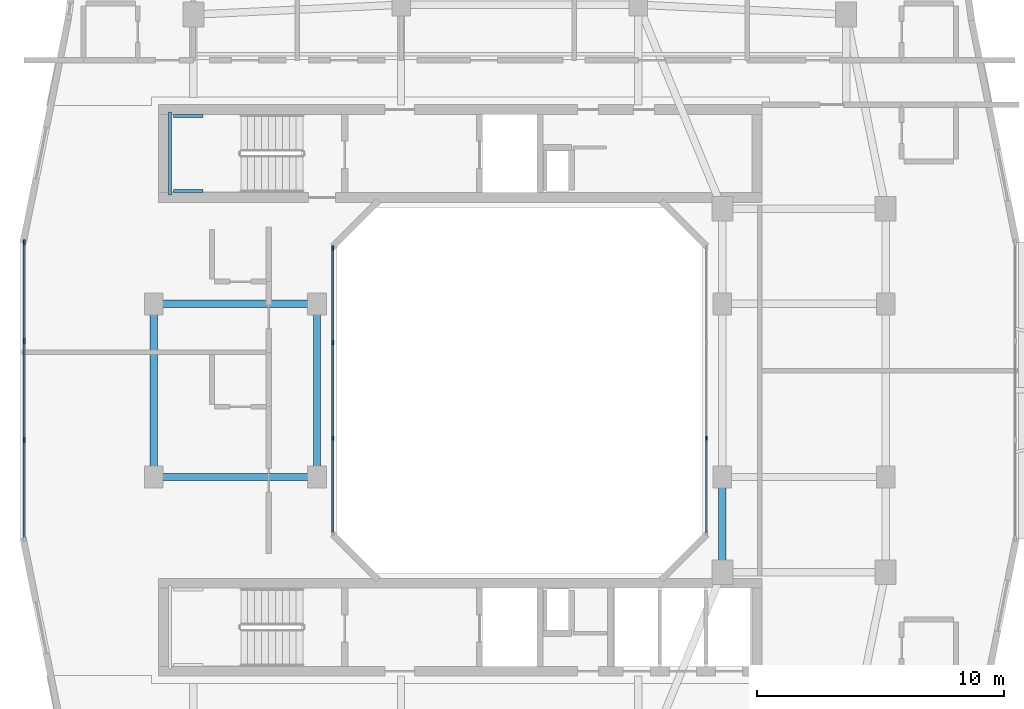
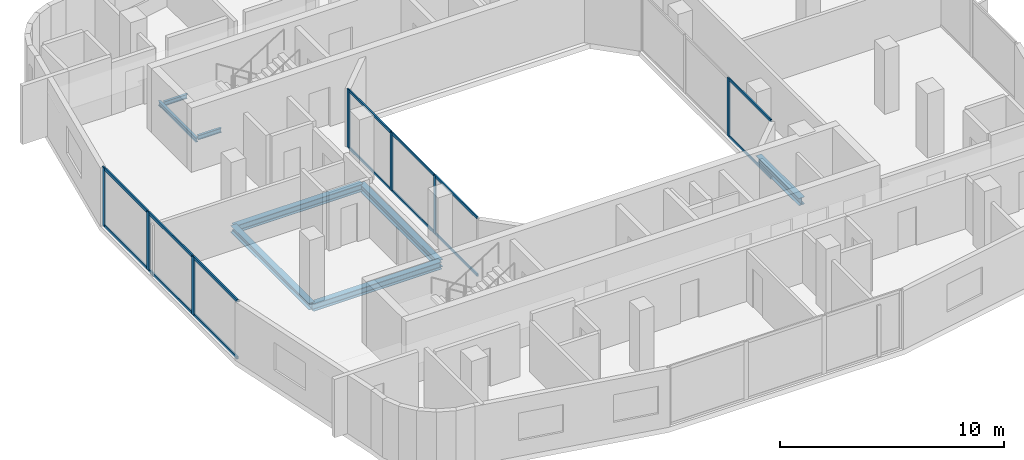
# One storey, part 3 of 14: 21 members, 8 beams, 3 elements without a shape of their own.
"""IFC4 building model written with IfcOpenShell, lengths in metres."""

from ifc_helpers import new_model, si_unit, derived_unit, direction, frame, origin, origin_2d, place, context, subcontext, project, spatial, rectangle, i_section, extrude, material, layer, layer_set, material_profile, profile_set, type_object, element, aggregate, save


model = new_model("IFC4")

# Units and contexts
model_context = context("Model", 3, precision=1e-05, world=origin(), true_north=direction((0.0, 1.0)))
body_context = subcontext(model_context, "Body", "Model", "MODEL_VIEW")
ifc_project = project(units=[si_unit("LENGTHUNIT", "METRE"), si_unit("AREAUNIT", "SQUARE_METRE"), si_unit("VOLUMEUNIT", "CUBIC_METRE"), si_unit("PLANEANGLEUNIT", "RADIAN"), si_unit("MASSUNIT", "GRAM", prefix="KILO"), derived_unit("THERMALTRANSMITTANCEUNIT", [(si_unit("POWERUNIT", "WATT"), 1), (si_unit("LENGTHUNIT", "METRE"), -2), (si_unit("THERMODYNAMICTEMPERATUREUNIT", "KELVIN"), -1)])], contexts=[model_context])

# Site, building, storey
site_placement = place(None, origin())
site = spatial("IfcSite", under=ifc_project, at=site_placement, CompositionType="ELEMENT")
building_placement = place(site_placement, origin())
building = spatial("IfcBuilding", under=site, at=building_placement, Name="Kivonza Crest Hotel", CompositionType="ELEMENT")
storey_placement = place(building_placement, frame((0.0, 0.0, 169.5)))
storey = spatial("IfcBuildingStorey", under=building, at=storey_placement, Name="L46", CompositionType="ELEMENT", Elevation=169.5)

# Beams
ifc_material_1 = material(Name="Steel S355", Category="steel")
ifc_material_profile_1 = material_profile(ifc_material_1, i_section(OverallWidth=0.300048828125, OverallDepth=0.360107421875, WebThickness=0.012451171875, FlangeThickness=0.0224609375, FilletRadius=0.027099609375, at=origin_2d()), Name="HEB 360")
ifc_profile_set_1 = profile_set([ifc_material_profile_1], Name="Steel S355")
beam_type_1 = type_object("IfcBeamType", Name="BM-HEB360", PredefinedType="SPANDREL", material=ifc_profile_set_1)
beam_1_placement = place(storey_placement, frame((6.199951171875, 28.5, -0.4599609375), z_axis=(0.0, -1.0, 0.0), x_axis=(1.0, 0.0, 0.0)))
element("IfcBeam", 1, at=beam_1_placement, inside=storey, type_object=beam_type_1, Name="Tower T1 L46 perimeter spandrel W2-W1", PredefinedType="SPANDREL", context=body_context, shape_type="SweptSolid", body=[
    extrude(i_section(OverallWidth=0.300048828125, OverallDepth=0.360107421875, WebThickness=0.012451171875, FlangeThickness=0.0224609375, FilletRadius=0.027099609375, at=origin_2d()), origin(), (0.0, 0.0, 1.0), 7.0),
])
ifc_material_profile_2 = material_profile(ifc_material_1, i_section(OverallWidth=0.300048828125, OverallDepth=0.39990234375, WebThickness=0.013427734375, FlangeThickness=0.02392578125, FilletRadius=0.027099609375, at=origin_2d()), Name="HEB 400")
ifc_profile_set_2 = profile_set([ifc_material_profile_2], Name="Steel S355")
beam_type_2 = type_object("IfcBeamType", Name="BM-HEB400", PredefinedType="BEAM", material=ifc_profile_set_2)
for number, where, z_axis, x_axis, name in (
    (2, (6.199951171875, 21.5, -0.47998046875), (1.0, 0.0, 0.0), (0.0, 1.0, 0.0), "Tower T1 L46 primary girder W1-WL1"),
    (3, (6.199951171875, 28.5, -0.47998046875), (1.0, 0.0, 0.0), (0.0, 1.0, 0.0), "Tower T1 L46 primary girder W2-WL2"),
):
    element("IfcBeam", number, at=place(storey_placement, frame(where, z_axis=z_axis, x_axis=x_axis)), inside=storey, type_object=beam_type_2, Name=name, PredefinedType="BEAM", context=body_context, shape_type="SweptSolid", body=[
        extrude(i_section(OverallWidth=0.300048828125, OverallDepth=0.39990234375, WebThickness=0.013427734375, FlangeThickness=0.02392578125, FilletRadius=0.027099609375, at=origin_2d()), origin(), (0.0, 0.0, 1.0), 6.60009765625),
    ])
beam_2_placement = place(storey_placement, frame((12.800048828125, 21.5, -0.47998046875), z_axis=(0.0, 1.0, 0.0), x_axis=(-1.0, 0.0, 0.0)))
element("IfcBeam", 4, at=beam_2_placement, inside=storey, type_object=beam_type_2, Name="Tower T1 L46 primary girder WL1-WL2", PredefinedType="BEAM", context=body_context, shape_type="SweptSolid", body=[
    extrude(i_section(OverallWidth=0.300048828125, OverallDepth=0.39990234375, WebThickness=0.013427734375, FlangeThickness=0.02392578125, FilletRadius=0.027099609375, at=origin_2d()), origin(), (0.0, 0.0, 1.0), 7.0),
])
beam_3_placement = place(storey_placement, frame((29.199951171875, 17.64990234375, -0.47998046875), z_axis=(0.0, 1.0, 0.0), x_axis=(-1.0, 0.0, 0.0)))
element("IfcBeam", 5, at=beam_3_placement, inside=storey, type_object=beam_type_2, Name="Tower T1 L46 primary girder TSE-WR1", PredefinedType="BEAM", context=body_context, shape_type="SweptSolid", body=[
    extrude(i_section(OverallWidth=0.300048828125, OverallDepth=0.39990234375, WebThickness=0.013427734375, FlangeThickness=0.02392578125, FilletRadius=0.027099609375, at=origin_2d()), origin(), (0.0, 0.0, 1.0), 3.85009765625),
])
ifc_material_profile_3 = material_profile(ifc_material_1, i_section(OverallWidth=0.1201171875, OverallDepth=0.239990234375, WebThickness=0.006103515625, FlangeThickness=0.009765625, FilletRadius=0.014892578125, at=origin_2d()), Name="IPE 240")
ifc_profile_set_3 = profile_set([ifc_material_profile_3], Name="Steel S355")
beam_type_3 = type_object("IfcBeamType", Name="BM-LLDG-240", PredefinedType="BEAM", material=ifc_profile_set_3)
beam_4_placement = place(storey_placement, frame((6.860107421875, 32.89990234375, 1.429931640625), z_axis=(0.0, 1.0, 0.0), x_axis=(-1.0, 0.0, 0.0)))
element("IfcBeam", 6, at=beam_4_placement, inside=storey, type_object=beam_type_3, Name="Stair ST-T1-N L46 West landing corbel", PredefinedType="BEAM", context=body_context, shape_type="SweptSolid", body=[
    extrude(i_section(OverallWidth=0.1201171875, OverallDepth=0.239990234375, WebThickness=0.006103515625, FlangeThickness=0.009765625, FilletRadius=0.014892578125, at=origin_2d()), origin(), (0.0, 0.0, 1.0), 3.360107421875),
])
for number, where, z_axis, x_axis, name in (
    (7, (6.989990234375, 33.06005859375, 1.429931640625), (1.0, 0.0, 0.0), (0.0, 1.0, 0.0), "Stair ST-T1-N L46 South landing corbel"),
    (8, (6.989990234375, 36.10009765625, 1.429931640625), (1.0, 0.0, 0.0), (0.0, 1.0, 0.0), "Stair ST-T1-N L46 North landing corbel"),
):
    element("IfcBeam", number, at=place(storey_placement, frame(where, z_axis=z_axis, x_axis=x_axis)), inside=storey, type_object=beam_type_3, Name=name, PredefinedType="BEAM", context=body_context, shape_type="SweptSolid", body=[
        extrude(i_section(OverallWidth=0.1201171875, OverallDepth=0.239990234375, WebThickness=0.006103515625, FlangeThickness=0.009765625, FilletRadius=0.014892578125, at=origin_2d()), origin(), (0.0, 0.0, 1.0), 1.2099609375),
    ])

# Curtain wall, member
ifc_material_2 = material(Name="Anodised bronze aluminium and low-E double glazing", Category="aluminium")
ifc_layer_1 = layer(ifc_material_2, 0.159912109375)
ifc_layer_set_1 = layer_set([ifc_layer_1], Name="Anodised bronze aluminium and low-E double glazing")
curtain_wall_type_1 = type_object("IfcCurtainWallType", Name="CW-SYS-5", PredefinedType="NOTDEFINED", material=ifc_layer_set_1)
curtain_wall_1_placement = place(storey_placement, origin())
curtain_wall_1 = element("IfcCurtainWall", 9, at=curtain_wall_1_placement, inside=storey, type_object=curtain_wall_type_1, Name="L46 unitised curtain wall CW-WELL-T1-L46-3", PredefinedType="NOTDEFINED")
ifc_material_3 = material(Name="Anodised bronze aluminium", Category="aluminium")
ifc_material_profile_4 = material_profile(ifc_material_3, rectangle(XDim=0.06494140625, YDim=0.179931640625, at=origin_2d()), Name="CW-M 65x180")
ifc_profile_set_4 = profile_set([ifc_material_profile_4], Name="Anodised bronze aluminium")
member_type_1 = type_object("IfcMemberType", Name="CW-MUL-65x180", PredefinedType="MULLION", material=ifc_profile_set_4)
member_1_placement = place(storey_placement, frame((28.56005859375, 23.066650390625, 0.0), z_axis=(0.0, 0.0, 1.0), x_axis=(-1.0, 0.0, 0.0)))
member_1 = element("IfcMember", 10, at=member_1_placement, type_object=member_type_1, Name="CW-5 mullion 2", PredefinedType="MULLION", context=body_context, shape_type="SweptSolid", body=[
    extrude(rectangle(XDim=0.06494140625, YDim=0.179931640625, at=origin_2d()), origin(), (0.0, 0.0, 1.0), 3.179931640625),
])

# Curtain wall, members
curtain_wall_2_placement = place(storey_placement, origin())
curtain_wall_2 = element("IfcCurtainWall", 11, at=curtain_wall_2_placement, inside=storey, type_object=curtain_wall_type_1, Name="L46 unitised curtain wall CW-WELL-T1-L46-7", PredefinedType="NOTDEFINED")
member_2_placement = place(storey_placement, frame((13.43994140625, 30.767578125, 0.0), z_axis=(0.0, 0.0, 1.0), x_axis=(1.0, 0.0, 0.0)))
member_2 = element("IfcMember", 12, at=member_2_placement, type_object=member_type_1, Name="CW-5 mullion 1", PredefinedType="MULLION", context=body_context, shape_type="SweptSolid", body=[
    extrude(rectangle(XDim=0.06494140625, YDim=0.179931640625, at=origin_2d()), origin(), (0.0, 0.0, 1.0), 3.179931640625),
])
member_3_placement = place(storey_placement, frame((13.43994140625, 26.933349609375, 0.0), z_axis=(0.0, 0.0, 1.0), x_axis=(1.0, 0.0, 0.0)))
member_3 = element("IfcMember", 13, at=member_3_placement, type_object=member_type_1, Name="CW-5 mullion 2", PredefinedType="MULLION", context=body_context, shape_type="SweptSolid", body=[
    extrude(rectangle(XDim=0.06494140625, YDim=0.179931640625, at=origin_2d()), origin(), (0.0, 0.0, 1.0), 3.179931640625),
])
member_4_placement = place(storey_placement, frame((13.43994140625, 23.066650390625, 0.0), z_axis=(0.0, 0.0, 1.0), x_axis=(1.0, 0.0, 0.0)))
member_4 = element("IfcMember", 14, at=member_4_placement, type_object=member_type_1, Name="CW-5 mullion 3", PredefinedType="MULLION", context=body_context, shape_type="SweptSolid", body=[
    extrude(rectangle(XDim=0.06494140625, YDim=0.179931640625, at=origin_2d()), origin(), (0.0, 0.0, 1.0), 3.179931640625),
])

ifc_layer_2 = layer(ifc_material_2, 0.179931640625)
ifc_layer_set_2 = layer_set([ifc_layer_2], Name="Anodised bronze aluminium and low-E double glazing")
curtain_wall_type_2 = type_object("IfcCurtainWallType", Name="CW-SYS-3", PredefinedType="NOTDEFINED", material=ifc_layer_set_2)
curtain_wall_3_placement = place(storey_placement, origin())
curtain_wall_3 = element("IfcCurtainWall", 15, at=curtain_wall_3_placement, inside=storey, type_object=curtain_wall_type_2, Name="L46 unitised curtain wall CW-T1-L46-35", PredefinedType="NOTDEFINED")
ifc_material_profile_5 = material_profile(ifc_material_3, rectangle(XDim=0.074951171875, YDim=0.219970703125, at=origin_2d()), Name="CW-M 75x220")
ifc_profile_set_5 = profile_set([ifc_material_profile_5], Name="Anodised bronze aluminium")
member_type_2 = type_object("IfcMemberType", Name="CW-MUL-75x220", PredefinedType="MULLION", material=ifc_profile_set_5)
member_5_placement = place(storey_placement, frame((0.9599609375, 30.982421875, 0.0), z_axis=(0.0, 0.0, 1.0), x_axis=(1.0, 0.0, 0.0)))
member_5 = element("IfcMember", 16, at=member_5_placement, type_object=member_type_2, Name="CW-3 mullion 1", PredefinedType="MULLION", context=body_context, shape_type="SweptSolid", body=[
    extrude(rectangle(XDim=0.074951171875, YDim=0.219970703125, at=origin_2d()), origin(), (0.0, 0.0, 1.0), 3.179931640625),
])
member_6_placement = place(storey_placement, frame((0.9599609375, 27.006591796875, 0.0), z_axis=(0.0, 0.0, 1.0), x_axis=(1.0, 0.0, 0.0)))
member_6 = element("IfcMember", 17, at=member_6_placement, type_object=member_type_2, Name="CW-3 mullion 2", PredefinedType="MULLION", context=body_context, shape_type="SweptSolid", body=[
    extrude(rectangle(XDim=0.074951171875, YDim=0.219970703125, at=origin_2d()), origin(), (0.0, 0.0, 1.0), 3.179931640625),
])
member_7_placement = place(storey_placement, frame((0.9599609375, 22.993408203125, 0.0), z_axis=(0.0, 0.0, 1.0), x_axis=(1.0, 0.0, 0.0)))
member_7 = element("IfcMember", 18, at=member_7_placement, type_object=member_type_2, Name="CW-3 mullion 3", PredefinedType="MULLION", context=body_context, shape_type="SweptSolid", body=[
    extrude(rectangle(XDim=0.074951171875, YDim=0.219970703125, at=origin_2d()), origin(), (0.0, 0.0, 1.0), 3.179931640625),
])

# Member
ifc_material_profile_6 = material_profile(ifc_material_3, rectangle(XDim=0.06494140625, YDim=0.139892578125, at=origin_2d()), Name="CW-T 65x140")
ifc_profile_set_6 = profile_set([ifc_material_profile_6], Name="Anodised bronze aluminium")
member_type_3 = type_object("IfcMemberType", Name="CW-TRN-65x140", PredefinedType="USERDEFINED", material=ifc_profile_set_6)
member_8_placement = place(storey_placement, frame((28.56005859375, 19.264892578125, 0.032470703125), z_axis=(0.0, 1.0, 0.0), x_axis=(-1.0, 0.0, 0.0)))
member_8 = element("IfcMember", 19, at=member_8_placement, type_object=member_type_3, Name="CW-5 transom 1.1", ObjectType="TRANSOM", PredefinedType="USERDEFINED", context=body_context, shape_type="SweptSolid", body=[
    extrude(rectangle(XDim=0.06494140625, YDim=0.139892578125, at=origin_2d()), origin(), (0.0, 0.0, 1.0), 3.769287109375),
])

member_9_placement = place(storey_placement, frame((28.56005859375, 19.264892578125, 3.1474609375), z_axis=(0.0, 1.0, 0.0), x_axis=(-1.0, 0.0, 0.0)))
member_9 = element("IfcMember", 20, at=member_9_placement, type_object=member_type_3, Name="CW-5 transom 1.2", ObjectType="TRANSOM", PredefinedType="USERDEFINED", context=body_context, shape_type="SweptSolid", body=[
    extrude(rectangle(XDim=0.06494140625, YDim=0.139892578125, at=origin_2d()), origin(), (0.0, 0.0, 1.0), 3.769287109375),
])

aggregate(curtain_wall_1, [member_1, member_8, member_9])

member_10_placement = place(storey_placement, frame((13.43994140625, 30.735107421875, 0.032470703125), z_axis=(0.0, -1.0, 0.0), x_axis=(1.0, 0.0, 0.0)))
member_10 = element("IfcMember", 21, at=member_10_placement, type_object=member_type_3, Name="CW-5 transom 1.1", ObjectType="TRANSOM", PredefinedType="USERDEFINED", context=body_context, shape_type="SweptSolid", body=[
    extrude(rectangle(XDim=0.06494140625, YDim=0.139892578125, at=origin_2d()), origin(), (0.0, 0.0, 1.0), 3.769287109375),
])

member_11_placement = place(storey_placement, frame((13.43994140625, 30.735107421875, 3.1474609375), z_axis=(0.0, -1.0, 0.0), x_axis=(1.0, 0.0, 0.0)))
member_11 = element("IfcMember", 22, at=member_11_placement, type_object=member_type_3, Name="CW-5 transom 1.2", ObjectType="TRANSOM", PredefinedType="USERDEFINED", context=body_context, shape_type="SweptSolid", body=[
    extrude(rectangle(XDim=0.06494140625, YDim=0.139892578125, at=origin_2d()), origin(), (0.0, 0.0, 1.0), 3.769287109375),
])

member_12_placement = place(storey_placement, frame((13.43994140625, 26.90087890625, 0.032470703125), z_axis=(0.0, -1.0, 0.0), x_axis=(1.0, 0.0, 0.0)))
member_12 = element("IfcMember", 23, at=member_12_placement, type_object=member_type_3, Name="CW-5 transom 2.1", ObjectType="TRANSOM", PredefinedType="USERDEFINED", context=body_context, shape_type="SweptSolid", body=[
    extrude(rectangle(XDim=0.06494140625, YDim=0.139892578125, at=origin_2d()), origin(), (0.0, 0.0, 1.0), 3.8017578125),
])

member_13_placement = place(storey_placement, frame((13.43994140625, 26.90087890625, 3.1474609375), z_axis=(0.0, -1.0, 0.0), x_axis=(1.0, 0.0, 0.0)))
member_13 = element("IfcMember", 24, at=member_13_placement, type_object=member_type_3, Name="CW-5 transom 2.2", ObjectType="TRANSOM", PredefinedType="USERDEFINED", context=body_context, shape_type="SweptSolid", body=[
    extrude(rectangle(XDim=0.06494140625, YDim=0.139892578125, at=origin_2d()), origin(), (0.0, 0.0, 1.0), 3.8017578125),
])

member_14_placement = place(storey_placement, frame((13.43994140625, 23.0341796875, 0.032470703125), z_axis=(0.0, -1.0, 0.0), x_axis=(1.0, 0.0, 0.0)))
member_14 = element("IfcMember", 25, at=member_14_placement, type_object=member_type_3, Name="CW-5 transom 3.1", ObjectType="TRANSOM", PredefinedType="USERDEFINED", context=body_context, shape_type="SweptSolid", body=[
    extrude(rectangle(XDim=0.06494140625, YDim=0.139892578125, at=origin_2d()), origin(), (0.0, 0.0, 1.0), 3.769287109375),
])

member_15_placement = place(storey_placement, frame((13.43994140625, 23.0341796875, 3.1474609375), z_axis=(0.0, -1.0, 0.0), x_axis=(1.0, 0.0, 0.0)))
member_15 = element("IfcMember", 26, at=member_15_placement, type_object=member_type_3, Name="CW-5 transom 3.2", ObjectType="TRANSOM", PredefinedType="USERDEFINED", context=body_context, shape_type="SweptSolid", body=[
    extrude(rectangle(XDim=0.06494140625, YDim=0.139892578125, at=origin_2d()), origin(), (0.0, 0.0, 1.0), 3.769287109375),
])

aggregate(curtain_wall_2, [member_2, member_3, member_4, member_10, member_11, member_12, member_13, member_14, member_15])

ifc_material_profile_7 = material_profile(ifc_material_3, rectangle(XDim=0.074951171875, YDim=0.159912109375, at=origin_2d()), Name="CW-T 75x160")
ifc_profile_set_7 = profile_set([ifc_material_profile_7], Name="Anodised bronze aluminium")
member_type_4 = type_object("IfcMemberType", Name="CW-TRN-75x160", PredefinedType="USERDEFINED", material=ifc_profile_set_7)
member_16_placement = place(storey_placement, frame((0.9599609375, 30.945068359375, 0.03759765625), z_axis=(0.0, -1.0, 0.0), x_axis=(1.0, 0.0, 0.0)))
member_16 = element("IfcMember", 27, at=member_16_placement, type_object=member_type_4, Name="CW-3 transom 1.1", ObjectType="TRANSOM", PredefinedType="USERDEFINED", context=body_context, shape_type="SweptSolid", body=[
    extrude(rectangle(XDim=0.074951171875, YDim=0.159912109375, at=origin_2d()), origin(), (0.0, 0.0, 1.0), 3.90087890625),
])

member_17_placement = place(storey_placement, frame((0.9599609375, 30.945068359375, 3.142578125), z_axis=(0.0, -1.0, 0.0), x_axis=(1.0, 0.0, 0.0)))
member_17 = element("IfcMember", 28, at=member_17_placement, type_object=member_type_4, Name="CW-3 transom 1.2", ObjectType="TRANSOM", PredefinedType="USERDEFINED", context=body_context, shape_type="SweptSolid", body=[
    extrude(rectangle(XDim=0.074951171875, YDim=0.159912109375, at=origin_2d()), origin(), (0.0, 0.0, 1.0), 3.90087890625),
])

member_18_placement = place(storey_placement, frame((0.9599609375, 26.96923828125, 0.03759765625), z_axis=(0.0, -1.0, 0.0), x_axis=(1.0, 0.0, 0.0)))
member_18 = element("IfcMember", 29, at=member_18_placement, type_object=member_type_4, Name="CW-3 transom 2.1", ObjectType="TRANSOM", PredefinedType="USERDEFINED", context=body_context, shape_type="SweptSolid", body=[
    extrude(rectangle(XDim=0.074951171875, YDim=0.159912109375, at=origin_2d()), origin(), (0.0, 0.0, 1.0), 3.9384765625),
])

member_19_placement = place(storey_placement, frame((0.9599609375, 26.96923828125, 3.142578125), z_axis=(0.0, -1.0, 0.0), x_axis=(1.0, 0.0, 0.0)))
member_19 = element("IfcMember", 30, at=member_19_placement, type_object=member_type_4, Name="CW-3 transom 2.2", ObjectType="TRANSOM", PredefinedType="USERDEFINED", context=body_context, shape_type="SweptSolid", body=[
    extrude(rectangle(XDim=0.074951171875, YDim=0.159912109375, at=origin_2d()), origin(), (0.0, 0.0, 1.0), 3.9384765625),
])

member_20_placement = place(storey_placement, frame((0.9599609375, 22.955810546875, 0.03759765625), z_axis=(0.0, -1.0, 0.0), x_axis=(1.0, 0.0, 0.0)))
member_20 = element("IfcMember", 31, at=member_20_placement, type_object=member_type_4, Name="CW-3 transom 3.1", ObjectType="TRANSOM", PredefinedType="USERDEFINED", context=body_context, shape_type="SweptSolid", body=[
    extrude(rectangle(XDim=0.074951171875, YDim=0.159912109375, at=origin_2d()), origin(), (0.0, 0.0, 1.0), 3.90087890625),
])

member_21_placement = place(storey_placement, frame((0.9599609375, 22.955810546875, 3.142578125), z_axis=(0.0, -1.0, 0.0), x_axis=(1.0, 0.0, 0.0)))
member_21 = element("IfcMember", 32, at=member_21_placement, type_object=member_type_4, Name="CW-3 transom 3.2", ObjectType="TRANSOM", PredefinedType="USERDEFINED", context=body_context, shape_type="SweptSolid", body=[
    extrude(rectangle(XDim=0.074951171875, YDim=0.159912109375, at=origin_2d()), origin(), (0.0, 0.0, 1.0), 3.90087890625),
])

aggregate(curtain_wall_3, [member_5, member_6, member_7, member_16, member_17, member_18, member_19, member_20, member_21])

save(model, "model.ifc")
